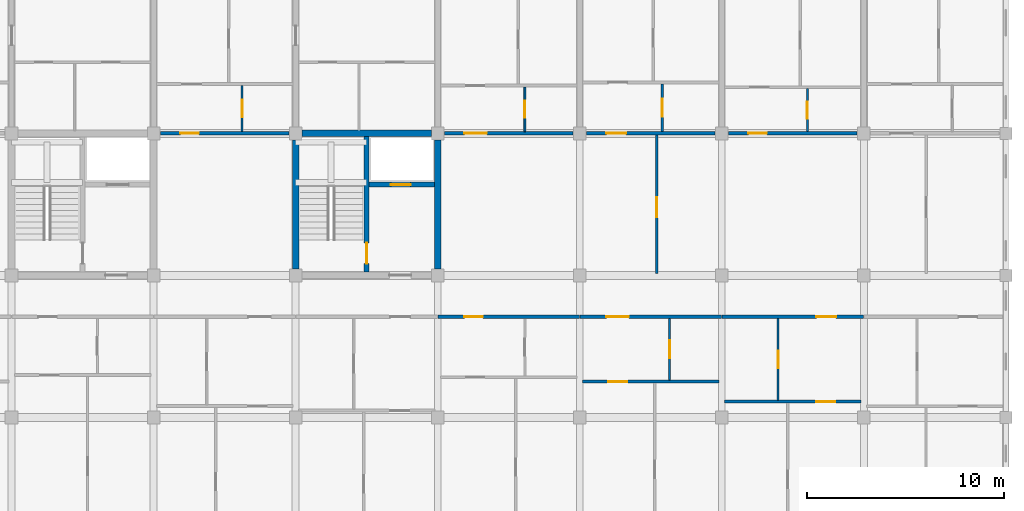
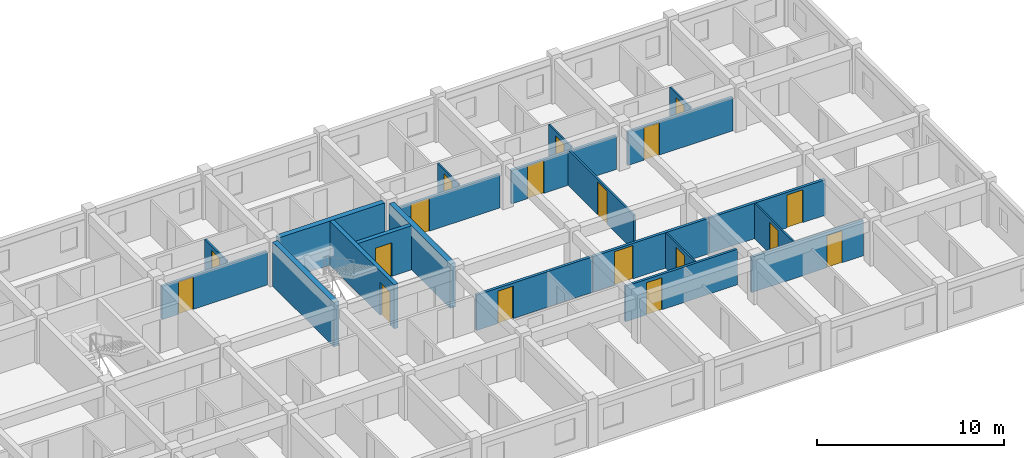
# One storey, part 37 of 50: 21 walls, 18 doors, 18 openings.
"""IFC4 building model written with IfcOpenShell, lengths in metres."""

from ifc_helpers import new_model, si_unit, direction, frame, frame_2d, origin, place, context, subcontext, project, spatial, rectangle, extrude, material, layer, layer_set, type_object, element, fill, save


model = new_model("IFC4")

# Units and contexts
model_context = context("Model", 3, precision=1e-05, world=origin(), true_north=direction((0.0, 1.0)))
body_context = subcontext(model_context, "Body", "Model", "MODEL_VIEW")
ifc_project = project(units=[si_unit("LENGTHUNIT", "METRE"), si_unit("AREAUNIT", "SQUARE_METRE"), si_unit("VOLUMEUNIT", "CUBIC_METRE"), si_unit("PLANEANGLEUNIT", "RADIAN"), si_unit("MASSUNIT", "GRAM", prefix="KILO"), si_unit("THERMODYNAMICTEMPERATUREUNIT", "KELVIN"), si_unit("POWERUNIT", "WATT")], contexts=[model_context])

# Site, building, storey
site_placement = place(None, origin())
site = spatial("IfcSite", under=ifc_project, at=site_placement, CompositionType="ELEMENT")
building_placement = place(site_placement, origin())
building = spatial("IfcBuilding", under=site, at=building_placement, Name="Tavuni Mirador Residences", CompositionType="ELEMENT")
storey_placement = place(building_placement, frame((0.0, 0.0, 4.5)))
storey = spatial("IfcBuildingStorey", under=building, at=storey_placement, Name="L01", CompositionType="ELEMENT", Elevation=4.5)

# Wall, opening, door
ifc_material_1 = material(Name="Precast concrete C40/50", Category="concrete")
ifc_layer_1 = layer(ifc_material_1, 0.25, Name="Precast concrete C40/50", Category="concrete")
ifc_layer_set_1 = layer_set([ifc_layer_1], Name="Precast concrete C40/50")
wall_type_1 = type_object("IfcWallType", Name="WT-COR250", PredefinedType="SHEAR", material=ifc_layer_set_1)
wall_1_placement = place(storey_placement, frame((43.199951171875, 158.56005859375, 0.0), z_axis=(0.0, 0.0, 1.0), x_axis=(0.0, 1.0, 0.0)))
wall_1 = element("IfcWall", 1, at=wall_1_placement, inside=storey, type_object=wall_type_1, Name="CWALL-C6-L01-MID", PredefinedType="SHEAR", context=body_context, shape_type="SweptSolid", body=[
    extrude(rectangle(XDim=6.8798828125, YDim=0.25, at=frame_2d((3.43994140625, 0.0))), origin(), (0.0, 0.0, 1.0), 2.885009765625),
])
opening_1_placement = place(wall_1_placement, frame((0.43994140625, 0.0, 0.0)))
opening_1 = element("IfcOpeningElement", 2, at=opening_1_placement, cuts=wall_1, Name="Opening D-01", PredefinedType="OPENING", context=body_context, shape_type="SweptSolid", body=[
    extrude(rectangle(XDim=1.050048828125, YDim=2.14990234375, at=frame_2d((0.52490234375, 1.074951171875))), frame((0.0, 0.135009765625, 0.0), z_axis=(0.0, -1.0, 0.0), x_axis=(1.0, 0.0, 0.0)), (0.0, 0.0, 1.0), 0.27001953125),
])
ifc_material_2 = material(Name="Solid core iroko timber", Category="wood")
door_type_1 = type_object("IfcDoorType", Name="DT-ST1050", OperationType="NOTDEFINED", PredefinedType="DOOR", material=ifc_material_2)
door_1_placement = place(opening_1_placement, origin())
door_1 = element("IfcDoor", 3, at=door_1_placement, inside=storey, type_object=door_type_1, Name="DR-2223", OperationType="SINGLE_SWING_LEFT", OverallHeight=2.14990234375, OverallWidth=1.050048828125, PredefinedType="DOOR", context=body_context, shape_type="SweptSolid", body=[
    extrude(rectangle(XDim=1.050048828125, YDim=2.14990234375, at=frame_2d((0.52490234375, 1.074951171875))), frame((0.0, 0.02490234375, 0.0), z_axis=(0.0, -1.0, 0.0), x_axis=(1.0, 0.0, 0.0)), (0.0, 0.0, 1.0), 0.050048828125),
])
fill(opening_1, door_1)

wall_2_placement = place(storey_placement, frame((43.324951171875, 163.0, 0.0), z_axis=(0.0, 0.0, 1.0), x_axis=(1.0, 0.0, 0.0)))
wall_2 = element("IfcWall", 4, at=wall_2_placement, inside=storey, type_object=wall_type_1, Name="CWALL-C6-L01-SHF", PredefinedType="SHEAR", context=body_context, shape_type="SweptSolid", body=[
    extrude(rectangle(XDim=3.31494140625, YDim=0.25, at=frame_2d((1.657470703125, 0.0))), origin(), (0.0, 0.0, 1.0), 2.885009765625),
])
opening_2_placement = place(wall_2_placement, frame((1.10009765625, 0.0, 0.0)))
opening_2 = element("IfcOpeningElement", 5, at=opening_2_placement, cuts=wall_2, Name="Opening LD-02", PredefinedType="OPENING", context=body_context, shape_type="SweptSolid", body=[
    extrude(rectangle(XDim=1.0, YDim=2.199951171875, at=frame_2d((0.5, 1.10009765625))), frame((0.0, 0.135009765625, 0.0), z_axis=(0.0, -1.0, 0.0), x_axis=(1.0, 0.0, 0.0)), (0.0, 0.0, 1.0), 0.27001953125),
])
ifc_material_3 = material(Name="Structural steel S355", Category="steel")
door_type_2 = type_object("IfcDoorType", Name="DT-LD-PAX", OperationType="SLIDING_TO_LEFT", PredefinedType="DOOR", material=ifc_material_3)
door_2_placement = place(opening_2_placement, origin())
door_2 = element("IfcDoor", 6, at=door_2_placement, inside=storey, type_object=door_type_2, Name="Lift landing door PL-C1 L01", OperationType="SLIDING_TO_LEFT", OverallHeight=2.199951171875, OverallWidth=1.0, PredefinedType="DOOR", context=body_context, shape_type="SweptSolid", body=[
    extrude(rectangle(XDim=1.0, YDim=2.199951171875, at=frame_2d((0.5, 1.10009765625))), frame((0.0, 0.02490234375, 0.0), z_axis=(0.0, -1.0, 0.0), x_axis=(1.0, 0.0, 0.0)), (0.0, 0.0, 1.0), 0.050048828125),
])
fill(opening_2, door_2)

# Walls
ifc_layer_2 = layer(ifc_material_1, 0.320068359375, Name="Precast concrete C40/50", Category="concrete")
ifc_layer_set_2 = layer_set([ifc_layer_2], Name="Precast concrete C40/50")
wall_type_2 = type_object("IfcWallType", Name="WT-COR320", PredefinedType="SHEAR", material=ifc_layer_set_2)
wall_3_placement = place(storey_placement, frame((39.60009765625, 158.72509765625, 0.0), z_axis=(0.0, 0.0, 1.0), x_axis=(0.0, 1.0, 0.0)))
element("IfcWall", 7, at=wall_3_placement, inside=storey, type_object=wall_type_2, Name="CWALL-C6-L01-W", PredefinedType="SHEAR", context=body_context, shape_type="SweptSolid", body=[
    extrude(rectangle(XDim=6.5498046875, YDim=0.320068359375, at=frame_2d((3.27490234375, 0.0))), origin(), (0.0, 0.0, 1.0), 2.885009765625),
])
wall_4_placement = place(storey_placement, frame((39.925048828125, 165.60009765625, 0.0), z_axis=(0.0, 0.0, 1.0), x_axis=(1.0, 0.0, 0.0)))
element("IfcWall", 8, at=wall_4_placement, inside=storey, type_object=wall_type_2, Name="CWALL-C6-L01-N", PredefinedType="SHEAR", context=body_context, shape_type="SweptSolid", body=[
    extrude(rectangle(XDim=6.550048828125, YDim=0.320068359375, at=frame_2d((3.27490234375, 0.0))), origin(), (0.0, 0.0, 1.0), 2.885009765625),
])
wall_5_placement = place(storey_placement, frame((46.800048828125, 158.72509765625, 0.0), z_axis=(0.0, 0.0, 1.0), x_axis=(0.0, 1.0, 0.0)))
element("IfcWall", 9, at=wall_5_placement, inside=storey, type_object=wall_type_2, Name="CWALL-C6-L01-E", PredefinedType="SHEAR", context=body_context, shape_type="SweptSolid", body=[
    extrude(rectangle(XDim=6.5498046875, YDim=0.320068359375, at=frame_2d((3.27490234375, 0.0))), origin(), (0.0, 0.0, 1.0), 2.885009765625),
])

# Wall, opening, door
ifc_layer_3 = layer(ifc_material_1, 0.1650390625, Name="Precast concrete C40/50", Category="concrete")
ifc_layer_set_3 = layer_set([ifc_layer_3], Name="Precast concrete C40/50")
wall_type_3 = type_object("IfcWallType", Name="WT-CORR165", PredefinedType="PARTITIONING", material=ifc_layer_set_3)
wall_6_placement = place(storey_placement, frame((46.820068359375, 156.300048828125, 0.0), z_axis=(0.0, 0.0, 1.0), x_axis=(1.0, 0.0, 0.0)))
wall_6 = element("IfcWall", 10, at=wall_6_placement, inside=storey, type_object=wall_type_3, Name="CORW-BLK-C-L01-0-05", PredefinedType="PARTITIONING", context=body_context, shape_type="SweptSolid", body=[
    extrude(rectangle(XDim=7.159912109375, YDim=0.1650390625, at=frame_2d((3.580078125, 0.0))), origin(), (0.0, 0.0, 1.0), 2.320068359375),
])
opening_3_placement = place(wall_6_placement, frame((1.330078125, 0.0, 0.0)))
opening_3 = element("IfcOpeningElement", 11, at=opening_3_placement, cuts=wall_6, Name="Opening D-19", PredefinedType="OPENING", context=body_context, shape_type="SweptSolid", body=[
    extrude(rectangle(XDim=0.93994140625, YDim=2.1201171875, at=frame_2d((0.469970703125, 1.06005859375))), frame((0.0, 0.092529296875, 0.0), z_axis=(0.0, -1.0, 0.0), x_axis=(1.0, 0.0, 0.0)), (0.0, 0.0, 1.0), 0.18505859375),
])
door_type_3 = type_object("IfcDoorType", Name="DT-FD60-940", OperationType="NOTDEFINED", PredefinedType="DOOR", material=ifc_material_2)
door_3_placement = place(opening_3_placement, origin())
door_3 = element("IfcDoor", 12, at=door_3_placement, inside=storey, type_object=door_type_3, Name="DR-2632", OperationType="SINGLE_SWING_LEFT", OverallHeight=2.1201171875, OverallWidth=0.93994140625, PredefinedType="DOOR", context=body_context, shape_type="SweptSolid", body=[
    extrude(rectangle(XDim=0.93994140625, YDim=2.1201171875, at=frame_2d((0.469970703125, 1.06005859375))), frame((0.0, 0.02490234375, 0.0), z_axis=(0.0, -1.0, 0.0), x_axis=(1.0, 0.0, 0.0)), (0.0, 0.0, 1.0), 0.050048828125),
])
fill(opening_3, door_3)

wall_7_placement = place(storey_placement, frame((54.02001953125, 156.300048828125, 0.0), z_axis=(0.0, 0.0, 1.0), x_axis=(1.0, 0.0, 0.0)))
wall_7 = element("IfcWall", 13, at=wall_7_placement, inside=storey, type_object=wall_type_3, Name="CORW-BLK-C-L01-0-06", PredefinedType="PARTITIONING", context=body_context, shape_type="SweptSolid", body=[
    extrude(rectangle(XDim=7.159912109375, YDim=0.1650390625, at=frame_2d((3.580078125, 0.0))), origin(), (0.0, 0.0, 1.0), 2.320068359375),
])
opening_4_placement = place(wall_7_placement, frame((1.330078125, 0.0, 0.0)))
opening_4 = element("IfcOpeningElement", 14, at=opening_4_placement, cuts=wall_7, Name="Opening D-20", PredefinedType="OPENING", context=body_context, shape_type="SweptSolid", body=[
    extrude(rectangle(XDim=1.139892578125, YDim=2.179931640625, at=frame_2d((0.56982421875, 1.08984375))), frame((0.0, 0.092529296875, 0.0), z_axis=(0.0, -1.0, 0.0), x_axis=(1.0, 0.0, 0.0)), (0.0, 0.0, 1.0), 0.18505859375),
])
door_type_4 = type_object("IfcDoorType", Name="DT-FD60-1140", OperationType="NOTDEFINED", PredefinedType="DOOR", material=ifc_material_2)
door_4_placement = place(opening_4_placement, origin())
door_4 = element("IfcDoor", 15, at=door_4_placement, inside=storey, type_object=door_type_4, Name="DR-2633", OperationType="SINGLE_SWING_RIGHT", OverallHeight=2.179931640625, OverallWidth=1.139892578125, PredefinedType="DOOR", context=body_context, shape_type="SweptSolid", body=[
    extrude(rectangle(XDim=1.139892578125, YDim=2.179931640625, at=frame_2d((0.56982421875, 1.08984375))), frame((0.0, 0.02490234375, 0.0), z_axis=(0.0, -1.0, 0.0), x_axis=(1.0, 0.0, 0.0)), (0.0, 0.0, 1.0), 0.050048828125),
])
fill(opening_4, door_4)

wall_8_placement = place(storey_placement, frame((61.219970703125, 156.300048828125, 0.0), z_axis=(0.0, 0.0, 1.0), x_axis=(1.0, 0.0, 0.0)))
wall_8 = element("IfcWall", 16, at=wall_8_placement, inside=storey, type_object=wall_type_3, Name="CORW-BLK-C-L01-0-07", PredefinedType="PARTITIONING", context=body_context, shape_type="SweptSolid", body=[
    extrude(rectangle(XDim=7.159912109375, YDim=0.1650390625, at=frame_2d((3.580078125, 0.0))), origin(), (0.0, 0.0, 1.0), 2.320068359375),
])
opening_5_placement = place(wall_8_placement, frame((4.780029296875, 0.0, 0.0)))
opening_5 = element("IfcOpeningElement", 17, at=opening_5_placement, cuts=wall_8, Name="Opening D-03", PredefinedType="OPENING", context=body_context, shape_type="SweptSolid", body=[
    extrude(rectangle(XDim=1.0, YDim=2.14990234375, at=frame_2d((0.5, 1.074951171875))), frame((0.0, 0.092529296875, 0.0), z_axis=(0.0, -1.0, 0.0), x_axis=(1.0, 0.0, 0.0)), (0.0, 0.0, 1.0), 0.18505859375),
])
door_type_5 = type_object("IfcDoorType", Name="DT-FD60-1000", OperationType="NOTDEFINED", PredefinedType="DOOR", material=ifc_material_2)
door_5_placement = place(opening_5_placement, origin())
door_5 = element("IfcDoor", 18, at=door_5_placement, inside=storey, type_object=door_type_5, Name="DR-2634", OperationType="SINGLE_SWING_LEFT", OverallHeight=2.14990234375, OverallWidth=1.0, PredefinedType="DOOR", context=body_context, shape_type="SweptSolid", body=[
    extrude(rectangle(XDim=1.0, YDim=2.14990234375, at=frame_2d((0.5, 1.074951171875))), frame((0.0, 0.02490234375, 0.0), z_axis=(0.0, -1.0, 0.0), x_axis=(1.0, 0.0, 0.0)), (0.0, 0.0, 1.0), 0.050048828125),
])
fill(opening_5, door_5)

wall_9_placement = place(storey_placement, frame((32.75, 165.60009765625, 0.0), z_axis=(0.0, 0.0, 1.0), x_axis=(1.0, 0.0, 0.0)))
wall_9 = element("IfcWall", 19, at=wall_9_placement, inside=storey, type_object=wall_type_3, Name="CORW-BLK-C-L01-1-03", PredefinedType="PARTITIONING", context=body_context, shape_type="SweptSolid", body=[
    extrude(rectangle(XDim=6.5, YDim=0.1650390625, at=frame_2d((3.25, 0.0))), origin(), (0.0, 0.0, 1.0), 2.18505859375),
])
opening_6_placement = place(wall_9_placement, frame((1.0, 0.0, 0.0)))
opening_6 = element("IfcOpeningElement", 20, at=opening_6_placement, cuts=wall_9, Name="Opening D-19", PredefinedType="OPENING", context=body_context, shape_type="SweptSolid", body=[
    extrude(rectangle(XDim=0.93994140625, YDim=2.1201171875, at=frame_2d((0.469970703125, 1.06005859375))), frame((0.0, 0.092529296875, 0.0), z_axis=(0.0, -1.0, 0.0), x_axis=(1.0, 0.0, 0.0)), (0.0, 0.0, 1.0), 0.18505859375),
])
door_6_placement = place(opening_6_placement, origin())
door_6 = element("IfcDoor", 21, at=door_6_placement, inside=storey, type_object=door_type_3, Name="DR-2638", OperationType="SINGLE_SWING_LEFT", OverallHeight=2.1201171875, OverallWidth=0.93994140625, PredefinedType="DOOR", context=body_context, shape_type="SweptSolid", body=[
    extrude(rectangle(XDim=0.93994140625, YDim=2.1201171875, at=frame_2d((0.469970703125, 1.06005859375))), frame((0.0, 0.02490234375, 0.0), z_axis=(0.0, -1.0, 0.0), x_axis=(1.0, 0.0, 0.0)), (0.0, 0.0, 1.0), 0.050048828125),
])
fill(opening_6, door_6)

wall_10_placement = place(storey_placement, frame((47.14990234375, 165.60009765625, 0.0), z_axis=(0.0, 0.0, 1.0), x_axis=(1.0, 0.0, 0.0)))
wall_10 = element("IfcWall", 22, at=wall_10_placement, inside=storey, type_object=wall_type_3, Name="CORW-BLK-C-L01-1-05", PredefinedType="PARTITIONING", context=body_context, shape_type="SweptSolid", body=[
    extrude(rectangle(XDim=6.5, YDim=0.1650390625, at=frame_2d((3.25, 0.0))), origin(), (0.0, 0.0, 1.0), 2.18505859375),
])
opening_7_placement = place(wall_10_placement, frame((1.0, 0.0, 0.0)))
opening_7 = element("IfcOpeningElement", 23, at=opening_7_placement, cuts=wall_10, Name="Opening D-20", PredefinedType="OPENING", context=body_context, shape_type="SweptSolid", body=[
    extrude(rectangle(XDim=1.139892578125, YDim=2.179931640625, at=frame_2d((0.56982421875, 1.08984375))), frame((0.0, 0.092529296875, 0.0), z_axis=(0.0, -1.0, 0.0), x_axis=(1.0, 0.0, 0.0)), (0.0, 0.0, 1.0), 0.18505859375),
])
door_7_placement = place(opening_7_placement, origin())
door_7 = element("IfcDoor", 24, at=door_7_placement, inside=storey, type_object=door_type_4, Name="DR-2639", OperationType="SINGLE_SWING_RIGHT", OverallHeight=2.179931640625, OverallWidth=1.139892578125, PredefinedType="DOOR", context=body_context, shape_type="SweptSolid", body=[
    extrude(rectangle(XDim=1.139892578125, YDim=2.179931640625, at=frame_2d((0.56982421875, 1.08984375))), frame((0.0, 0.02490234375, 0.0), z_axis=(0.0, -1.0, 0.0), x_axis=(1.0, 0.0, 0.0)), (0.0, 0.0, 1.0), 0.050048828125),
])
fill(opening_7, door_7)

wall_11_placement = place(storey_placement, frame((54.35009765625, 165.60009765625, 0.0), z_axis=(0.0, 0.0, 1.0), x_axis=(1.0, 0.0, 0.0)))
wall_11 = element("IfcWall", 25, at=wall_11_placement, inside=storey, type_object=wall_type_3, Name="CORW-BLK-C-L01-1-06", PredefinedType="PARTITIONING", context=body_context, shape_type="SweptSolid", body=[
    extrude(rectangle(XDim=6.5, YDim=0.1650390625, at=frame_2d((3.25, 0.0))), origin(), (0.0, 0.0, 1.0), 2.18505859375),
])
opening_8_placement = place(wall_11_placement, frame((1.0, 0.0, 0.0)))
opening_8 = element("IfcOpeningElement", 26, at=opening_8_placement, cuts=wall_11, Name="Opening D-03", PredefinedType="OPENING", context=body_context, shape_type="SweptSolid", body=[
    extrude(rectangle(XDim=1.0, YDim=2.14990234375, at=frame_2d((0.5, 1.074951171875))), frame((0.0, 0.092529296875, 0.0), z_axis=(0.0, -1.0, 0.0), x_axis=(1.0, 0.0, 0.0)), (0.0, 0.0, 1.0), 0.18505859375),
])
door_8_placement = place(opening_8_placement, origin())
door_8 = element("IfcDoor", 27, at=door_8_placement, inside=storey, type_object=door_type_5, Name="DR-2640", OperationType="SINGLE_SWING_LEFT", OverallHeight=2.14990234375, OverallWidth=1.0, PredefinedType="DOOR", context=body_context, shape_type="SweptSolid", body=[
    extrude(rectangle(XDim=1.0, YDim=2.14990234375, at=frame_2d((0.5, 1.074951171875))), frame((0.0, 0.02490234375, 0.0), z_axis=(0.0, -1.0, 0.0), x_axis=(1.0, 0.0, 0.0)), (0.0, 0.0, 1.0), 0.050048828125),
])
fill(opening_8, door_8)

wall_12_placement = place(storey_placement, frame((61.550048828125, 165.60009765625, 0.0), z_axis=(0.0, 0.0, 1.0), x_axis=(1.0, 0.0, 0.0)))
wall_12 = element("IfcWall", 28, at=wall_12_placement, inside=storey, type_object=wall_type_3, Name="CORW-BLK-C-L01-1-07", PredefinedType="PARTITIONING", context=body_context, shape_type="SweptSolid", body=[
    extrude(rectangle(XDim=6.5, YDim=0.1650390625, at=frame_2d((3.25, 0.0))), origin(), (0.0, 0.0, 1.0), 2.18505859375),
])
opening_9_placement = place(wall_12_placement, frame((1.0, 0.0, 0.0)))
opening_9 = element("IfcOpeningElement", 29, at=opening_9_placement, cuts=wall_12, Name="Opening D-19", PredefinedType="OPENING", context=body_context, shape_type="SweptSolid", body=[
    extrude(rectangle(XDim=0.93994140625, YDim=2.1201171875, at=frame_2d((0.469970703125, 1.06005859375))), frame((0.0, 0.092529296875, 0.0), z_axis=(0.0, -1.0, 0.0), x_axis=(1.0, 0.0, 0.0)), (0.0, 0.0, 1.0), 0.18505859375),
])
door_9_placement = place(opening_9_placement, origin())
door_9 = element("IfcDoor", 30, at=door_9_placement, inside=storey, type_object=door_type_3, Name="DR-2641", OperationType="SINGLE_SWING_RIGHT", OverallHeight=2.1201171875, OverallWidth=0.93994140625, PredefinedType="DOOR", context=body_context, shape_type="SweptSolid", body=[
    extrude(rectangle(XDim=0.93994140625, YDim=2.1201171875, at=frame_2d((0.469970703125, 1.06005859375))), frame((0.0, 0.02490234375, 0.0), z_axis=(0.0, -1.0, 0.0), x_axis=(1.0, 0.0, 0.0)), (0.0, 0.0, 1.0), 0.050048828125),
])
fill(opening_9, door_9)

ifc_material_4 = material(Name="Acoustic gypsum and concrete block partition", Category="concrete")
ifc_layer_4 = layer(ifc_material_4, 0.094970703125, Name="Acoustic gypsum and concrete block partition", Category="concrete")
ifc_layer_set_4 = layer_set([ifc_layer_4], Name="Acoustic gypsum and concrete block partition")
wall_type_4 = type_object("IfcWallType", Name="WT-PART095", PredefinedType="PARTITIONING", material=ifc_layer_set_4)
wall_13_placement = place(storey_placement, frame((51.219970703125, 165.68994140625, 0.0), z_axis=(0.0, 0.0, 1.0), x_axis=(0.0, 1.0, 0.0)))
wall_13 = element("IfcWall", 31, at=wall_13_placement, inside=storey, type_object=wall_type_4, Name="PW-BLK-C-L01-N05-IN1", PredefinedType="PARTITIONING", context=body_context, shape_type="SweptSolid", body=[
    extrude(rectangle(XDim=2.260009765625, YDim=0.094970703125, at=frame_2d((1.1298828125, 0.0))), origin(), (0.0, 0.0, 1.0), 2.320068359375),
])
opening_10_placement = place(wall_13_placement, frame((0.695068359375, 0.0, 0.0)))
opening_10 = element("IfcOpeningElement", 32, at=opening_10_placement, cuts=wall_13, Name="Opening D-10", PredefinedType="OPENING", context=body_context, shape_type="SweptSolid", body=[
    extrude(rectangle(XDim=0.8701171875, YDim=2.050048828125, at=frame_2d((0.43505859375, 1.02490234375))), frame((0.0, 0.0576171875, 0.0), z_axis=(0.0, -1.0, 0.0), x_axis=(1.0, 0.0, 0.0)), (0.0, 0.0, 1.0), 0.114990234375),
])
door_type_6 = type_object("IfcDoorType", Name="DT-WC870", OperationType="NOTDEFINED", PredefinedType="DOOR", material=ifc_material_2)
door_10_placement = place(opening_10_placement, origin())
door_10 = element("IfcDoor", 33, at=door_10_placement, inside=storey, type_object=door_type_6, Name="DR-3717", OperationType="SINGLE_SWING_RIGHT", OverallHeight=2.050048828125, OverallWidth=0.8701171875, PredefinedType="DOOR", context=body_context, shape_type="SweptSolid", body=[
    extrude(rectangle(XDim=0.8701171875, YDim=2.050048828125, at=frame_2d((0.43505859375, 1.02490234375))), frame((0.0, 0.02490234375, 0.0), z_axis=(0.0, -1.0, 0.0), x_axis=(1.0, 0.0, 0.0)), (0.0, 0.0, 1.0), 0.050048828125),
])
fill(opening_10, door_10)

wall_14_placement = place(storey_placement, frame((58.550048828125, 153.090087890625, 0.0), z_axis=(0.0, 0.0, 1.0), x_axis=(0.0, 1.0, 0.0)))
wall_14 = element("IfcWall", 34, at=wall_14_placement, inside=storey, type_object=wall_type_4, Name="PW-BLK-C-L01-S06-IN1", PredefinedType="PARTITIONING", context=body_context, shape_type="SweptSolid", body=[
    extrude(rectangle(XDim=3.119873046875, YDim=0.094970703125, at=frame_2d((1.56005859375, 0.0))), origin(), (0.0, 0.0, 1.0), 2.320068359375),
])
opening_11_placement = place(wall_14_placement, frame((1.110107421875, 0.0, 0.0)))
opening_11 = element("IfcOpeningElement", 35, at=opening_11_placement, cuts=wall_14, Name="Opening D-09", PredefinedType="OPENING", context=body_context, shape_type="SweptSolid", body=[
    extrude(rectangle(XDim=0.89990234375, YDim=2.050048828125, at=frame_2d((0.449951171875, 1.02490234375))), frame((0.0, 0.0576171875, 0.0), z_axis=(0.0, -1.0, 0.0), x_axis=(1.0, 0.0, 0.0)), (0.0, 0.0, 1.0), 0.114990234375),
])
door_type_7 = type_object("IfcDoorType", Name="DT-WC900", OperationType="NOTDEFINED", PredefinedType="DOOR", material=ifc_material_2)
door_11_placement = place(opening_11_placement, origin())
door_11 = element("IfcDoor", 36, at=door_11_placement, inside=storey, type_object=door_type_7, Name="DR-3721", OperationType="SINGLE_SWING_LEFT", OverallHeight=2.050048828125, OverallWidth=0.89990234375, PredefinedType="DOOR", context=body_context, shape_type="SweptSolid", body=[
    extrude(rectangle(XDim=0.89990234375, YDim=2.050048828125, at=frame_2d((0.449951171875, 1.02490234375))), frame((0.0, 0.02490234375, 0.0), z_axis=(0.0, -1.0, 0.0), x_axis=(1.0, 0.0, 0.0)), (0.0, 0.0, 1.0), 0.050048828125),
])
fill(opening_11, door_11)

wall_15_placement = place(storey_placement, frame((64.050048828125, 152.070068359375, 0.0), z_axis=(0.0, 0.0, 1.0), x_axis=(0.0, 1.0, 0.0)))
wall_15 = element("IfcWall", 37, at=wall_15_placement, inside=storey, type_object=wall_type_4, Name="PW-BLK-C-L01-S07-IN1", PredefinedType="PARTITIONING", context=body_context, shape_type="SweptSolid", body=[
    extrude(rectangle(XDim=4.139892578125, YDim=0.094970703125, at=frame_2d((2.06982421875, 0.0))), origin(), (0.0, 0.0, 1.0), 2.320068359375),
])
opening_12_placement = place(wall_15_placement, frame((1.6201171875, 0.0, 0.0)))
opening_12 = element("IfcOpeningElement", 38, at=opening_12_placement, cuts=wall_15, Name="Opening D-09", PredefinedType="OPENING", context=body_context, shape_type="SweptSolid", body=[
    extrude(rectangle(XDim=0.89990234375, YDim=2.050048828125, at=frame_2d((0.449951171875, 1.02490234375))), frame((0.0, 0.0576171875, 0.0), z_axis=(0.0, -1.0, 0.0), x_axis=(1.0, 0.0, 0.0)), (0.0, 0.0, 1.0), 0.114990234375),
])
door_12_placement = place(opening_12_placement, origin())
door_12 = element("IfcDoor", 39, at=door_12_placement, inside=storey, type_object=door_type_7, Name="DR-3727", OperationType="SINGLE_SWING_LEFT", OverallHeight=2.050048828125, OverallWidth=0.89990234375, PredefinedType="DOOR", context=body_context, shape_type="SweptSolid", body=[
    extrude(rectangle(XDim=0.89990234375, YDim=2.050048828125, at=frame_2d((0.449951171875, 1.02490234375))), frame((0.0, 0.02490234375, 0.0), z_axis=(0.0, -1.0, 0.0), x_axis=(1.0, 0.0, 0.0)), (0.0, 0.0, 1.0), 0.050048828125),
])
fill(opening_12, door_12)

ifc_layer_5 = layer(ifc_material_4, 0.10498046875, Name="Acoustic gypsum and concrete block partition", Category="concrete")
ifc_layer_set_5 = layer_set([ifc_layer_5], Name="Acoustic gypsum and concrete block partition")
wall_type_5 = type_object("IfcWallType", Name="WT-PART105", PredefinedType="PARTITIONING", material=ifc_layer_set_5)
wall_16_placement = place(storey_placement, frame((36.8798828125, 165.68994140625, 0.0), z_axis=(0.0, 0.0, 1.0), x_axis=(0.0, 1.0, 0.0)))
wall_16 = element("IfcWall", 40, at=wall_16_placement, inside=storey, type_object=wall_type_5, Name="PW-BLK-C-L01-N03-IN1", PredefinedType="PARTITIONING", context=body_context, shape_type="SweptSolid", body=[
    extrude(rectangle(XDim=2.340087890625, YDim=0.10498046875, at=frame_2d((1.169921875, 0.0))), origin(), (0.0, 0.0, 1.0), 2.320068359375),
])
opening_13_placement = place(wall_16_placement, frame((0.719970703125, 0.0, 0.0)))
opening_13 = element("IfcOpeningElement", 41, at=opening_13_placement, cuts=wall_16, Name="Opening D-09", PredefinedType="OPENING", context=body_context, shape_type="SweptSolid", body=[
    extrude(rectangle(XDim=0.89990234375, YDim=2.050048828125, at=frame_2d((0.449951171875, 1.02490234375))), frame((0.0, 0.0625, 0.0), z_axis=(0.0, -1.0, 0.0), x_axis=(1.0, 0.0, 0.0)), (0.0, 0.0, 1.0), 0.125),
])
door_13_placement = place(opening_13_placement, origin())
door_13 = element("IfcDoor", 42, at=door_13_placement, inside=storey, type_object=door_type_7, Name="DR-3706", OperationType="SINGLE_SWING_LEFT", OverallHeight=2.050048828125, OverallWidth=0.89990234375, PredefinedType="DOOR", context=body_context, shape_type="SweptSolid", body=[
    extrude(rectangle(XDim=0.89990234375, YDim=2.050048828125, at=frame_2d((0.449951171875, 1.02490234375))), frame((0.0, 0.02490234375, 0.0), z_axis=(0.0, -1.0, 0.0), x_axis=(1.0, 0.0, 0.0)), (0.0, 0.0, 1.0), 0.050048828125),
])
fill(opening_13, door_13)

wall_17_placement = place(storey_placement, frame((58.179931640625, 165.68994140625, 0.0), z_axis=(0.0, 0.0, 1.0), x_axis=(0.0, 1.0, 0.0)))
wall_17 = element("IfcWall", 43, at=wall_17_placement, inside=storey, type_object=wall_type_5, Name="PW-BLK-C-L01-N06-IN1", PredefinedType="PARTITIONING", context=body_context, shape_type="SweptSolid", body=[
    extrude(rectangle(XDim=2.420166015625, YDim=0.10498046875, at=frame_2d((1.2099609375, 0.0))), origin(), (0.0, 0.0, 1.0), 2.320068359375),
])
opening_14_placement = place(wall_17_placement, frame((0.760009765625, 0.0, 0.0)))
opening_14 = element("IfcOpeningElement", 44, at=opening_14_placement, cuts=wall_17, Name="Opening D-09", PredefinedType="OPENING", context=body_context, shape_type="SweptSolid", body=[
    extrude(rectangle(XDim=0.89990234375, YDim=2.050048828125, at=frame_2d((0.449951171875, 1.02490234375))), frame((0.0, 0.0625, 0.0), z_axis=(0.0, -1.0, 0.0), x_axis=(1.0, 0.0, 0.0)), (0.0, 0.0, 1.0), 0.125),
])
door_14_placement = place(opening_14_placement, origin())
door_14 = element("IfcDoor", 45, at=door_14_placement, inside=storey, type_object=door_type_7, Name="DR-3724", OperationType="SINGLE_SWING_LEFT", OverallHeight=2.050048828125, OverallWidth=0.89990234375, PredefinedType="DOOR", context=body_context, shape_type="SweptSolid", body=[
    extrude(rectangle(XDim=0.89990234375, YDim=2.050048828125, at=frame_2d((0.449951171875, 1.02490234375))), frame((0.0, 0.02490234375, 0.0), z_axis=(0.0, -1.0, 0.0), x_axis=(1.0, 0.0, 0.0)), (0.0, 0.0, 1.0), 0.050048828125),
])
fill(opening_14, door_14)

wall_18_placement = place(storey_placement, frame((65.5400390625, 165.68994140625, 0.0), z_axis=(0.0, 0.0, 1.0), x_axis=(0.0, 1.0, 0.0)))
wall_18 = element("IfcWall", 46, at=wall_18_placement, inside=storey, type_object=wall_type_5, Name="PW-BLK-C-L01-N07-IN1", PredefinedType="PARTITIONING", context=body_context, shape_type="SweptSolid", body=[
    extrude(rectangle(XDim=2.18017578125, YDim=0.10498046875, at=frame_2d((1.090087890625, 0.0))), origin(), (0.0, 0.0, 1.0), 2.320068359375),
])
opening_15_placement = place(wall_18_placement, frame((0.655029296875, 0.0, 0.0)))
opening_15 = element("IfcOpeningElement", 47, at=opening_15_placement, cuts=wall_18, Name="Opening D-10", PredefinedType="OPENING", context=body_context, shape_type="SweptSolid", body=[
    extrude(rectangle(XDim=0.8701171875, YDim=2.050048828125, at=frame_2d((0.43505859375, 1.02490234375))), frame((0.0, 0.0625, 0.0), z_axis=(0.0, -1.0, 0.0), x_axis=(1.0, 0.0, 0.0)), (0.0, 0.0, 1.0), 0.125),
])
door_15_placement = place(opening_15_placement, origin())
door_15 = element("IfcDoor", 48, at=door_15_placement, inside=storey, type_object=door_type_6, Name="DR-3730", OperationType="SINGLE_SWING_RIGHT", OverallHeight=2.050048828125, OverallWidth=0.8701171875, PredefinedType="DOOR", context=body_context, shape_type="SweptSolid", body=[
    extrude(rectangle(XDim=0.8701171875, YDim=2.050048828125, at=frame_2d((0.43505859375, 1.02490234375))), frame((0.0, 0.02490234375, 0.0), z_axis=(0.0, -1.0, 0.0), x_axis=(1.0, 0.0, 0.0)), (0.0, 0.0, 1.0), 0.050048828125),
])
fill(opening_15, door_15)

ifc_layer_6 = layer(ifc_material_4, 0.114990234375, Name="Acoustic gypsum and concrete block partition", Category="concrete")
ifc_layer_set_6 = layer_set([ifc_layer_6], Name="Acoustic gypsum and concrete block partition")
wall_type_6 = type_object("IfcWallType", Name="WT-PART115", PredefinedType="PARTITIONING", material=ifc_layer_set_6)
wall_19_placement = place(storey_placement, frame((57.89990234375, 158.489990234375, 0.0), z_axis=(0.0, 0.0, 1.0), x_axis=(0.0, 1.0, 0.0)))
wall_19 = element("IfcWall", 49, at=wall_19_placement, inside=storey, type_object=wall_type_6, Name="PW-SPN-BLK-C-L01-06", PredefinedType="PARTITIONING", context=body_context, shape_type="SweptSolid", body=[
    extrude(rectangle(XDim=7.02001953125, YDim=0.114990234375, at=frame_2d((3.510009765625, 0.0))), origin(), (0.0, 0.0, 1.0), 2.320068359375),
])
opening_16_placement = place(wall_19_placement, frame((2.85009765625, 0.0, 0.0)))
opening_16 = element("IfcOpeningElement", 50, at=opening_16_placement, cuts=wall_19, Name="Opening D-13", PredefinedType="OPENING", context=body_context, shape_type="SweptSolid", body=[
    extrude(rectangle(XDim=1.02001953125, YDim=2.14990234375, at=frame_2d((0.510009765625, 1.074951171875))), frame((0.0, 0.0673828125, 0.0), z_axis=(0.0, -1.0, 0.0), x_axis=(1.0, 0.0, 0.0)), (0.0, 0.0, 1.0), 0.135009765625),
])
door_type_8 = type_object("IfcDoorType", Name="DT-MTG1020", OperationType="NOTDEFINED", PredefinedType="DOOR", material=ifc_material_2)
door_16_placement = place(opening_16_placement, origin())
door_16 = element("IfcDoor", 51, at=door_16_placement, inside=storey, type_object=door_type_8, Name="DR-3719", OperationType="SINGLE_SWING_RIGHT", OverallHeight=2.14990234375, OverallWidth=1.02001953125, PredefinedType="DOOR", context=body_context, shape_type="SweptSolid", body=[
    extrude(rectangle(XDim=1.02001953125, YDim=2.14990234375, at=frame_2d((0.510009765625, 1.074951171875))), frame((0.0, 0.02490234375, 0.0), z_axis=(0.0, -1.0, 0.0), x_axis=(1.0, 0.0, 0.0)), (0.0, 0.0, 1.0), 0.050048828125),
])
fill(opening_16, door_16)

ifc_layer_7 = layer(ifc_material_4, 0.14990234375, Name="Acoustic gypsum and concrete block partition", Category="concrete")
ifc_layer_set_7 = layer_set([ifc_layer_7], Name="Acoustic gypsum and concrete block partition")
wall_type_7 = type_object("IfcWallType", Name="WT-PART150", PredefinedType="PARTITIONING", material=ifc_layer_set_7)
wall_20_placement = place(storey_placement, frame((54.139892578125, 153.02001953125, 0.0), z_axis=(0.0, 0.0, 1.0), x_axis=(1.0, 0.0, 0.0)))
wall_20 = element("IfcWall", 52, at=wall_20_placement, inside=storey, type_object=wall_type_7, Name="PW-BLK-C-L01-S06-MID", PredefinedType="PARTITIONING", context=body_context, shape_type="SweptSolid", body=[
    extrude(rectangle(XDim=6.920166015625, YDim=0.14990234375, at=frame_2d((3.4599609375, 0.0))), origin(), (0.0, 0.0, 1.0), 2.320068359375),
])
opening_17_placement = place(wall_20_placement, frame((1.31005859375, 0.0, 0.0)))
opening_17 = element("IfcOpeningElement", 53, at=opening_17_placement, cuts=wall_20, Name="Opening D-05", PredefinedType="OPENING", context=body_context, shape_type="SweptSolid", body=[
    extrude(rectangle(XDim=0.949951171875, YDim=2.10009765625, at=frame_2d((0.47509765625, 1.050048828125))), frame((0.0, 0.0849609375, 0.0), z_axis=(0.0, -1.0, 0.0), x_axis=(1.0, 0.0, 0.0)), (0.0, 0.0, 1.0), 0.169921875),
])
door_type_9 = type_object("IfcDoorType", Name="DT-INT950", OperationType="NOTDEFINED", PredefinedType="DOOR", material=ifc_material_2)
door_17_placement = place(opening_17_placement, origin())
door_17 = element("IfcDoor", 54, at=door_17_placement, inside=storey, type_object=door_type_9, Name="DR-3722", OperationType="SINGLE_SWING_LEFT", OverallHeight=2.10009765625, OverallWidth=0.949951171875, PredefinedType="DOOR", context=body_context, shape_type="SweptSolid", body=[
    extrude(rectangle(XDim=0.949951171875, YDim=2.10009765625, at=frame_2d((0.47509765625, 1.050048828125))), frame((0.0, 0.02490234375, 0.0), z_axis=(0.0, -1.0, 0.0), x_axis=(1.0, 0.0, 0.0)), (0.0, 0.0, 1.0), 0.050048828125),
])
fill(opening_17, door_17)

wall_21_placement = place(storey_placement, frame((61.340087890625, 152.0, 0.0), z_axis=(0.0, 0.0, 1.0), x_axis=(1.0, 0.0, 0.0)))
wall_21 = element("IfcWall", 55, at=wall_21_placement, inside=storey, type_object=wall_type_7, Name="PW-BLK-C-L01-S07-MID", PredefinedType="PARTITIONING", context=body_context, shape_type="SweptSolid", body=[
    extrude(rectangle(XDim=6.919921875, YDim=0.14990234375, at=frame_2d((3.4599609375, 0.0))), origin(), (0.0, 0.0, 1.0), 2.320068359375),
])
opening_18_placement = place(wall_21_placement, frame((4.659912109375, 0.0, 0.0)))
opening_18 = element("IfcOpeningElement", 56, at=opening_18_placement, cuts=wall_21, Name="Opening D-05", PredefinedType="OPENING", context=body_context, shape_type="SweptSolid", body=[
    extrude(rectangle(XDim=0.949951171875, YDim=2.10009765625, at=frame_2d((0.47509765625, 1.050048828125))), frame((0.0, 0.0849609375, 0.0), z_axis=(0.0, -1.0, 0.0), x_axis=(1.0, 0.0, 0.0)), (0.0, 0.0, 1.0), 0.169921875),
])
door_18_placement = place(opening_18_placement, origin())
door_18 = element("IfcDoor", 57, at=door_18_placement, inside=storey, type_object=door_type_9, Name="DR-3728", OperationType="SINGLE_SWING_LEFT", OverallHeight=2.10009765625, OverallWidth=0.949951171875, PredefinedType="DOOR", context=body_context, shape_type="SweptSolid", body=[
    extrude(rectangle(XDim=0.949951171875, YDim=2.10009765625, at=frame_2d((0.47509765625, 1.050048828125))), frame((0.0, 0.02490234375, 0.0), z_axis=(0.0, -1.0, 0.0), x_axis=(1.0, 0.0, 0.0)), (0.0, 0.0, 1.0), 0.050048828125),
])
fill(opening_18, door_18)

save(model, "model.ifc")
